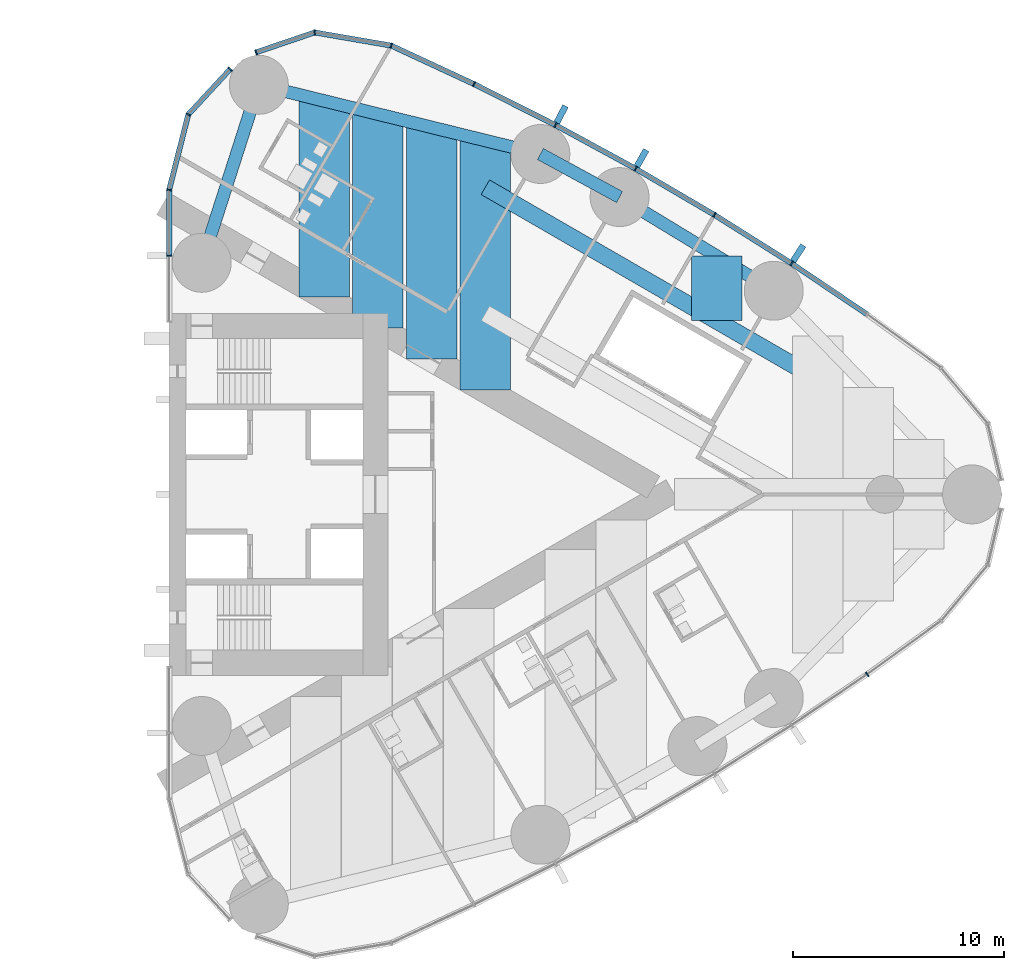
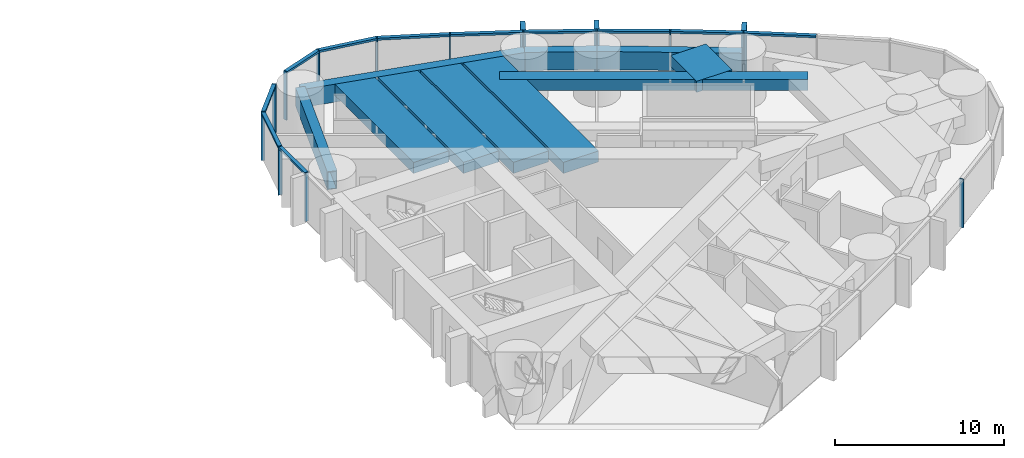
# One storey, part 8 of 19: 27 members, 10 beams, 3 elements without a shape of their own.
"""IFC4 building model written with IfcOpenShell, lengths in metres."""

from ifc_helpers import new_model, si_unit, direction, frame, origin, origin_2d, place, context, subcontext, project, spatial, rectangle, hollow_rectangle, extrude, material, material_profile, profile_set, type_object, element, aggregate, save


model = new_model("IFC4")

# Units and contexts
model_context = context("Model", 3, precision=1e-05, world=origin(), true_north=direction((0.0, 1.0)))
body_context = subcontext(model_context, "Body", "Model", "MODEL_VIEW")
ifc_project = project(units=[si_unit("LENGTHUNIT", "METRE"), si_unit("AREAUNIT", "SQUARE_METRE"), si_unit("VOLUMEUNIT", "CUBIC_METRE"), si_unit("PLANEANGLEUNIT", "RADIAN"), si_unit("MASSUNIT", "GRAM", prefix="KILO")], contexts=[model_context])

# Site, building, storey
site_placement = place(None, origin())
site = spatial("IfcSite", under=ifc_project, at=site_placement, CompositionType="ELEMENT")
building_placement = place(site_placement, origin())
building = spatial("IfcBuilding", under=site, at=building_placement, Name="Lancet Gate Hotel", CompositionType="ELEMENT")
storey_placement = place(building_placement, frame((0.0, 0.0, 198.300048828125)))
storey = spatial("IfcBuildingStorey", under=building, at=storey_placement, Name="L53", CompositionType="ELEMENT", Elevation=198.300048828125)

# Curtain wall, member
ifc_material_1 = material(Name="Aluminium curtain wall", Category="aluminium")
curtain_wall_type = type_object("IfcCurtainWallType", Name="Tower unitised curtain wall", PredefinedType="USERDEFINED", material=ifc_material_1)
curtain_wall_1_placement = place(storey_placement, origin())
curtain_wall_1 = element("IfcCurtainWall", 1, at=curtain_wall_1_placement, inside=storey, type_object=curtain_wall_type, Name="T2 L53 curtain wall 2", ObjectType="UNITISED CURTAIN WALL", PredefinedType="USERDEFINED")
ifc_material_2 = material(Name="Aluminium mullion", Category="aluminium")
ifc_material_profile_1 = material_profile(ifc_material_2, rectangle(XDim=0.06494140625, YDim=0.25, at=origin_2d()), Name="MULLION 65x250")
ifc_profile_set_1 = profile_set([ifc_material_profile_1], Name="Aluminium mullion")
member_type_1 = type_object("IfcMemberType", Name="Aluminium mullion 65x250", PredefinedType="MULLION", material=ifc_profile_set_1)
member_1_placement = place(storey_placement, frame((60.66015625, -8.547607421875, 0.0), z_axis=(0.0, 0.0, 1.0), x_axis=(0.820068208435, 0.572265789222, 0.0)))
member_1 = element("IfcMember", 2, at=member_1_placement, type_object=member_type_1, Name="T2 L53 curtain wall 2 mullion 9", PredefinedType="MULLION", context=body_context, shape_type="SweptSolid", body=[
    extrude(rectangle(XDim=0.06494140625, YDim=0.25, at=origin_2d()), origin(), (0.0, 0.0, 1.0), 3.5),
])
aggregate(curtain_wall_1, [member_1])

# Curtain wall, members
curtain_wall_2_placement = place(storey_placement, origin())
curtain_wall_2 = element("IfcCurtainWall", 3, at=curtain_wall_2_placement, inside=storey, type_object=curtain_wall_type, Name="T2 L53 curtain wall 3", ObjectType="UNITISED CURTAIN WALL", PredefinedType="USERDEFINED")
member_2_placement = place(storey_placement, frame((57.067138671875, 10.970947265625, 0.0), z_axis=(0.0, 0.0, 1.0), x_axis=(-0.837800943278, 0.545975804815, 0.0)))
member_2 = element("IfcMember", 4, at=member_2_placement, type_object=member_type_1, Name="T2 L53 curtain wall 3 mullion 5", PredefinedType="MULLION", context=body_context, shape_type="SweptSolid", body=[
    extrude(rectangle(XDim=0.06494140625, YDim=0.25, at=origin_2d()), origin(), (0.0, 0.0, 1.0), 3.5),
])
member_3_placement = place(storey_placement, frame((53.39892578125, 13.279541015625, 0.0), z_axis=(0.0, 0.0, 1.0), x_axis=(-0.854691174453, 0.519136779965, 0.0)))
member_3 = element("IfcMember", 5, at=member_3_placement, type_object=member_type_1, Name="T2 L53 curtain wall 3 mullion 6", PredefinedType="MULLION", context=body_context, shape_type="SweptSolid", body=[
    extrude(rectangle(XDim=0.06494140625, YDim=0.25, at=origin_2d()), origin(), (0.0, 0.0, 1.0), 3.5),
])
member_4_placement = place(storey_placement, frame((49.65966796875, 15.47021484375, 0.0), z_axis=(0.0, 0.0, 1.0), x_axis=(-0.870721916932, 0.491775704336, 0.0)))
member_4 = element("IfcMember", 6, at=member_4_placement, type_object=member_type_1, Name="T2 L53 curtain wall 3 mullion 7", PredefinedType="MULLION", context=body_context, shape_type="SweptSolid", body=[
    extrude(rectangle(XDim=0.06494140625, YDim=0.25, at=origin_2d()), origin(), (0.0, 0.0, 1.0), 3.5),
])
member_5_placement = place(storey_placement, frame((45.8525390625, 17.54150390625, 0.0), z_axis=(0.0, 0.0, 1.0), x_axis=(-0.885877049989, 0.463920092584, 0.0)))
member_5 = element("IfcMember", 7, at=member_5_placement, type_object=member_type_1, Name="T2 L53 curtain wall 3 mullion 8", PredefinedType="MULLION", context=body_context, shape_type="SweptSolid", body=[
    extrude(rectangle(XDim=0.06494140625, YDim=0.25, at=origin_2d()), origin(), (0.0, 0.0, 1.0), 3.5),
])
member_6_placement = place(storey_placement, frame((41.98193359375, 19.490966796875, 0.0), z_axis=(0.0, 0.0, 1.0), x_axis=(-0.900141333422, 0.435597956681, 0.0)))
member_6 = element("IfcMember", 8, at=member_6_placement, type_object=member_type_1, Name="T2 L53 curtain wall 3 mullion 9", PredefinedType="MULLION", context=body_context, shape_type="SweptSolid", body=[
    extrude(rectangle(XDim=0.06494140625, YDim=0.25, at=origin_2d()), origin(), (0.0, 0.0, 1.0), 3.5),
])
member_7_placement = place(storey_placement, frame((38.05126953125, 21.31689453125, 0.0), z_axis=(0.0, 0.0, 1.0), x_axis=(-0.951355493327, 0.308095318555, 0.0)))
member_7 = element("IfcMember", 9, at=member_7_placement, type_object=member_type_1, Name="T2 L53 curtain wall 3 mullion 10", PredefinedType="MULLION", context=body_context, shape_type="SweptSolid", body=[
    extrude(rectangle(XDim=0.06494140625, YDim=0.25, at=origin_2d()), origin(), (0.0, 0.0, 1.0), 3.5),
])
member_8_placement = place(storey_placement, frame((34.412109375, 21.9423828125, 0.0), z_axis=(0.0, 0.0, 1.0), x_axis=(-0.99877556888, -0.049470829879, 0.0)))
member_8 = element("IfcMember", 10, at=member_8_placement, type_object=member_type_1, Name="T2 L53 curtain wall 3 mullion 11", PredefinedType="MULLION", context=body_context, shape_type="SweptSolid", body=[
    extrude(rectangle(XDim=0.06494140625, YDim=0.25, at=origin_2d()), origin(), (0.0, 0.0, 1.0), 3.5),
])
member_9_placement = place(storey_placement, frame((31.631591796875, 20.998779296875, 0.0), z_axis=(0.0, 0.0, 1.0), x_axis=(-0.946952368511, -0.321373943827, 0.0)))
member_9 = element("IfcMember", 11, at=member_9_placement, type_object=member_type_1, Name="T2 L53 curtain wall 3 mullion 12", PredefinedType="MULLION", context=body_context, shape_type="SweptSolid", body=[
    extrude(rectangle(XDim=0.06494140625, YDim=0.25, at=origin_2d()), origin(), (0.0, 0.0, 1.0), 3.5),
])

curtain_wall_3_placement = place(storey_placement, origin())
curtain_wall_3 = element("IfcCurtainWall", 12, at=curtain_wall_3_placement, inside=storey, type_object=curtain_wall_type, Name="T2 L53 curtain wall 4", ObjectType="UNITISED CURTAIN WALL", PredefinedType="USERDEFINED")
member_10_placement = place(storey_placement, frame((30.40185546875, 20.199951171875, 0.0), z_axis=(0.0, 0.0, 1.0), x_axis=(-0.67883123083, -0.734294327943, 0.0)))
member_10 = element("IfcMember", 13, at=member_10_placement, type_object=member_type_1, Name="T2 L53 curtain wall 4 mullion 1", PredefinedType="MULLION", context=body_context, shape_type="SweptSolid", body=[
    extrude(rectangle(XDim=0.06494140625, YDim=0.25, at=origin_2d()), origin(), (0.0, 0.0, 1.0), 3.5),
])
member_11_placement = place(storey_placement, frame((28.408935546875, 18.04443359375, 0.0), z_axis=(0.0, 0.0, 1.0), x_axis=(-0.451505925065, -0.892268120932, 0.0)))
member_11 = element("IfcMember", 14, at=member_11_placement, type_object=member_type_1, Name="T2 L53 curtain wall 4 mullion 2", PredefinedType="MULLION", context=body_context, shape_type="SweptSolid", body=[
    extrude(rectangle(XDim=0.06494140625, YDim=0.25, at=origin_2d()), origin(), (0.0, 0.0, 1.0), 3.5),
])
member_12_placement = place(storey_placement, frame((27.5, 14.465576171875, 0.0), z_axis=(0.0, 0.0, 1.0), x_axis=(-0.134206524909, -0.990953383703, 0.0)))
member_12 = element("IfcMember", 15, at=member_12_placement, type_object=member_type_1, Name="T2 L53 curtain wall 4 mullion 3", PredefinedType="MULLION", context=body_context, shape_type="SweptSolid", body=[
    extrude(rectangle(XDim=0.06494140625, YDim=0.25, at=origin_2d()), origin(), (0.0, 0.0, 1.0), 3.5),
])
member_13_placement = place(storey_placement, frame((27.5, 11.332763671875, 0.0), z_axis=(0.0, 0.0, 1.0), x_axis=(0.0, -1.0, 0.0)))
member_13 = element("IfcMember", 16, at=member_13_placement, type_object=member_type_1, Name="T2 L53 curtain wall 4 mullion 4", PredefinedType="MULLION", context=body_context, shape_type="SweptSolid", body=[
    extrude(rectangle(XDim=0.06494140625, YDim=0.25, at=origin_2d()), origin(), (0.0, 0.0, 1.0), 3.5),
])

# Member
ifc_material_3 = material(Name="Aluminium transom", Category="aluminium")
ifc_material_profile_2 = material_profile(ifc_material_3, rectangle(XDim=0.25, YDim=0.14990234375, at=origin_2d()), Name="TRANSOM 250x150")
ifc_profile_set_2 = profile_set([ifc_material_profile_2], Name="Aluminium transom")
member_type_2 = type_object("IfcMemberType", Name="Aluminium transom 250x150", PredefinedType="USERDEFINED", material=ifc_profile_set_2)
member_14_placement = place(storey_placement, frame((60.63330078125, 8.565673828125, 3.425048828125), z_axis=(-0.829046850689, 0.559179147826, 0.0), x_axis=(-0.559179147826, -0.829046850689, 0.0)))
member_14 = element("IfcMember", 17, at=member_14_placement, type_object=member_type_2, Name="T2 L53 curtain wall 3 transom 4", ObjectType="TRANSOM", PredefinedType="USERDEFINED", context=body_context, shape_type="SweptSolid", body=[
    extrude(rectangle(XDim=0.25, YDim=0.14990234375, at=origin_2d()), origin(), (0.0, 0.0, 1.0), 4.26904296875),
])

member_15_placement = place(storey_placement, frame((57.03955078125, 10.98828125, 3.425048828125), z_axis=(-0.846333101657, 0.532653997488, 0.0), x_axis=(-0.532653997488, -0.846333101657, 0.0)))
member_15 = element("IfcMember", 18, at=member_15_placement, type_object=member_type_2, Name="T2 L53 curtain wall 3 transom 5", ObjectType="TRANSOM", PredefinedType="USERDEFINED", context=body_context, shape_type="SweptSolid", body=[
    extrude(rectangle(XDim=0.25, YDim=0.14990234375, at=origin_2d()), origin(), (0.0, 0.0, 1.0), 4.26904296875),
])

member_16_placement = place(storey_placement, frame((53.37109375, 13.2958984375, 3.425048828125), z_axis=(-0.862825279032, 0.505502262966, 0.0), x_axis=(-0.505502262966, -0.862825279032, 0.0)))
member_16 = element("IfcMember", 19, at=member_16_placement, type_object=member_type_2, Name="T2 L53 curtain wall 3 transom 6", ObjectType="TRANSOM", PredefinedType="USERDEFINED", context=body_context, shape_type="SweptSolid", body=[
    extrude(rectangle(XDim=0.25, YDim=0.14990234375, at=origin_2d()), origin(), (0.0, 0.0, 1.0), 4.26904296875),
])

member_17_placement = place(storey_placement, frame((49.631103515625, 15.48583984375, 3.425048828125), z_axis=(-0.878404302735, 0.477918278513, 0.0), x_axis=(-0.477918278513, -0.878404302735, 0.0)))
member_17 = element("IfcMember", 20, at=member_17_placement, type_object=member_type_2, Name="T2 L53 curtain wall 3 transom 7", ObjectType="TRANSOM", PredefinedType="USERDEFINED", context=body_context, shape_type="SweptSolid", body=[
    extrude(rectangle(XDim=0.25, YDim=0.14990234375, at=origin_2d()), origin(), (0.0, 0.0, 1.0), 4.26904296875),
])

member_18_placement = place(storey_placement, frame((45.82373046875, 17.55615234375, 3.425048828125), z_axis=(-0.893130969207, 0.449796700571, 0.0), x_axis=(-0.449796700571, -0.893130969207, 0.0)))
member_18 = element("IfcMember", 21, at=member_18_placement, type_object=member_type_2, Name="T2 L53 curtain wall 3 transom 8", ObjectType="TRANSOM", PredefinedType="USERDEFINED", context=body_context, shape_type="SweptSolid", body=[
    extrude(rectangle(XDim=0.25, YDim=0.14990234375, at=origin_2d()), origin(), (0.0, 0.0, 1.0), 4.26904296875),
])

member_19_placement = place(storey_placement, frame((41.952392578125, 19.504638671875, 3.425048828125), z_axis=(-0.906913768492, 0.421316290357, 0.0), x_axis=(-0.421316290357, -0.906913768492, 0.0)))
member_19 = element("IfcMember", 22, at=member_19_placement, type_object=member_type_2, Name="T2 L53 curtain wall 3 transom 9", ObjectType="TRANSOM", PredefinedType="USERDEFINED", context=body_context, shape_type="SweptSolid", body=[
    extrude(rectangle(XDim=0.25, YDim=0.14990234375, at=origin_2d()), origin(), (0.0, 0.0, 1.0), 4.26904296875),
])

member_20_placement = place(storey_placement, frame((38.019287109375, 21.322265625, 3.425048828125), z_axis=(-0.985536950873, 0.169460669373, 0.0), x_axis=(-0.169460669373, -0.985536950873, 0.0)))
member_20 = element("IfcMember", 23, at=member_20_placement, type_object=member_type_2, Name="T2 L53 curtain wall 3 transom 10", ObjectType="TRANSOM", PredefinedType="USERDEFINED", context=body_context, shape_type="SweptSolid", body=[
    extrude(rectangle(XDim=0.25, YDim=0.14990234375, at=origin_2d()), origin(), (0.0, 0.0, 1.0), 3.627685546875),
])

member_21_placement = place(storey_placement, frame((34.38134765625, 21.93212890625, 3.425048828125), z_axis=(-0.946943122832, -0.321401185625, 0.0), x_axis=(0.321401185625, -0.946943122832, 0.0)))
member_21 = element("IfcMember", 24, at=member_21_placement, type_object=member_type_2, Name="T2 L53 curtain wall 3 transom 11", ObjectType="TRANSOM", PredefinedType="USERDEFINED", context=body_context, shape_type="SweptSolid", body=[
    extrude(rectangle(XDim=0.25, YDim=0.14990234375, at=origin_2d()), origin(), (0.0, 0.0, 1.0), 2.871337890625),
])

member_22_placement = place(storey_placement, frame((30.379638671875, 20.17626953125, 3.425048828125), z_axis=(-0.678792146129, -0.734330458549, 0.0), x_axis=(0.734330458549, -0.678792146129, 0.0)))
member_22 = element("IfcMember", 25, at=member_22_placement, type_object=member_type_2, Name="T2 L53 curtain wall 4 transom 1", ObjectType="TRANSOM", PredefinedType="USERDEFINED", context=body_context, shape_type="SweptSolid", body=[
    extrude(rectangle(XDim=0.25, YDim=0.14990234375, at=origin_2d()), origin(), (0.0, 0.0, 1.0), 2.87060546875),
])

member_23_placement = place(storey_placement, frame((28.40087890625, 18.012939453125, 3.425048828125), z_axis=(-0.246128756616, -0.969237140831, 0.0), x_axis=(0.969237140831, -0.246128756616, 0.0)))
member_23 = element("IfcMember", 26, at=member_23_placement, type_object=member_type_2, Name="T2 L53 curtain wall 4 transom 2", ObjectType="TRANSOM", PredefinedType="USERDEFINED", context=body_context, shape_type="SweptSolid", body=[
    extrude(rectangle(XDim=0.25, YDim=0.14990234375, at=origin_2d()), origin(), (0.0, 0.0, 1.0), 3.62744140625),
])

member_24_placement = place(storey_placement, frame((27.5, 14.43310546875, 3.425048828125), z_axis=(0.0, -1.0, 0.0), x_axis=(1.0, 0.0, 0.0)))
member_24 = element("IfcMember", 27, at=member_24_placement, type_object=member_type_2, Name="T2 L53 curtain wall 4 transom 3", ObjectType="TRANSOM", PredefinedType="USERDEFINED", context=body_context, shape_type="SweptSolid", body=[
    extrude(rectangle(XDim=0.25, YDim=0.14990234375, at=origin_2d()), origin(), (0.0, 0.0, 1.0), 3.06787109375),
])

aggregate(curtain_wall_3, [member_10, member_11, member_12, member_13, member_22, member_23, member_24])

# Beams
ifc_material_4 = material(Name="Steel S460QL", Category="steel")
ifc_material_profile_3 = material_profile(ifc_material_4, hollow_rectangle(XDim=0.60009765625, YDim=1.300048828125, WallThickness=0.050048828125, at=origin_2d()), Name="BOX 1300x600x50")
ifc_profile_set_3 = profile_set([ifc_material_profile_3], Name="Steel S460QL")
beam_type_1 = type_object("IfcBeamType", Name="Edge beam BOX 1300x600x50", PredefinedType="SPANDREL", material=ifc_profile_set_3)
beam_1_placement = place(storey_placement, frame((56.220947265625, 9.67236328125, 2.599853515625), z_axis=(-0.854692251129, 0.519135007353, 0.0), x_axis=(-0.519135007353, -0.854692251129, 0.0)))
element("IfcBeam", 28, at=beam_1_placement, inside=storey, type_object=beam_type_1, Name="T2 edge beam EB2 L53", PredefinedType="SPANDREL", context=body_context, shape_type="SweptSolid", body=[
    extrude(hollow_rectangle(XDim=0.60009765625, YDim=1.300048828125, WallThickness=0.050048828125, at=origin_2d()), origin(), (0.0, 0.0, 1.0), 8.568603515625),
])
beam_2_placement = place(storey_placement, frame((48.8974609375, 14.12060546875, 2.599853515625), z_axis=(-0.878404597051, 0.477917737566, 0.0), x_axis=(-0.477917737566, -0.878404597051, 0.0)))
element("IfcBeam", 29, at=beam_2_placement, inside=storey, type_object=beam_type_1, Name="T2 edge beam EB2 L53", PredefinedType="SPANDREL", context=body_context, shape_type="SweptSolid", body=[
    extrude(hollow_rectangle(XDim=0.60009765625, YDim=1.300048828125, WallThickness=0.050048828125, at=origin_2d()), origin(), (0.0, 0.0, 1.0), 4.284912109375),
])
beam_3_placement = place(storey_placement, frame((45.133544921875, 16.16845703125, 2.599853515625), z_axis=(-0.971093253227, 0.238700426344, 0.0), x_axis=(-0.238700426344, -0.971093253227, 0.0)))
element("IfcBeam", 30, at=beam_3_placement, inside=storey, type_object=beam_type_1, Name="T2 edge beam EB2 L53", PredefinedType="SPANDREL", context=body_context, shape_type="SweptSolid", body=[
    extrude(hollow_rectangle(XDim=0.60009765625, YDim=1.300048828125, WallThickness=0.050048828125, at=origin_2d()), origin(), (0.0, 0.0, 1.0), 13.77197265625),
])
beam_4_placement = place(storey_placement, frame((29.050048828125, 11.0, 2.599853515625), z_axis=(0.305169772986, 0.952297962644, 0.0), x_axis=(-0.952297962644, 0.305169772986, 0.0)))
element("IfcBeam", 31, at=beam_4_placement, inside=storey, type_object=beam_type_1, Name="T2 edge beam EB2 L53", PredefinedType="SPANDREL", context=body_context, shape_type="SweptSolid", body=[
    extrude(hollow_rectangle(XDim=0.60009765625, YDim=1.300048828125, WallThickness=0.050048828125, at=origin_2d()), origin(), (0.0, 0.0, 1.0), 8.87939453125),
])

# Member
ifc_material_5 = material(Name="Precast concrete C50/60", Category="concrete")
ifc_material_profile_4 = material_profile(ifc_material_5, rectangle(XDim=0.300048828125, YDim=0.89990234375, at=origin_2d()), Name="FIN 300x900")
ifc_profile_set_4 = profile_set([ifc_material_profile_4], Name="Precast concrete C50/60")
member_type_3 = type_object("IfcMemberType", Name="Exposed concrete fin 300x900", PredefinedType="USERDEFINED", material=ifc_profile_set_4)
member_25_placement = place(storey_placement, frame((57.381103515625, 11.452880859375, 0.0), z_axis=(0.0, 0.0, 1.0), x_axis=(-0.837800943278, 0.545975804815, 0.0)))
member_25 = element("IfcMember", 32, at=member_25_placement, type_object=member_type_3, Name="T2 L53 curtain wall 3 fin 5", ObjectType="FIN", PredefinedType="USERDEFINED", context=body_context, shape_type="SweptSolid", body=[
    extrude(rectangle(XDim=0.300048828125, YDim=0.89990234375, at=origin_2d()), origin(), (0.0, 0.0, 1.0), 3.5),
])

member_26_placement = place(storey_placement, frame((49.9423828125, 15.970947265625, 0.0), z_axis=(0.0, 0.0, 1.0), x_axis=(-0.870721916932, 0.491775704336, 0.0)))
member_26 = element("IfcMember", 33, at=member_26_placement, type_object=member_type_3, Name="T2 L53 curtain wall 3 fin 7", ObjectType="FIN", PredefinedType="USERDEFINED", context=body_context, shape_type="SweptSolid", body=[
    extrude(rectangle(XDim=0.300048828125, YDim=0.89990234375, at=origin_2d()), origin(), (0.0, 0.0, 1.0), 3.5),
])

member_27_placement = place(storey_placement, frame((46.119384765625, 18.051025390625, 0.0), z_axis=(0.0, 0.0, 1.0), x_axis=(-0.885877049989, 0.463920092584, 0.0)))
member_27 = element("IfcMember", 34, at=member_27_placement, type_object=member_type_3, Name="T2 L53 curtain wall 3 fin 8", ObjectType="FIN", PredefinedType="USERDEFINED", context=body_context, shape_type="SweptSolid", body=[
    extrude(rectangle(XDim=0.300048828125, YDim=0.89990234375, at=origin_2d()), origin(), (0.0, 0.0, 1.0), 3.5),
])

aggregate(curtain_wall_2, [member_2, member_25, member_3, member_4, member_26, member_5, member_27, member_6, member_7, member_8, member_9, member_14, member_15, member_16, member_17, member_18, member_19, member_20, member_21])

# Beams
ifc_material_6 = material(Name="Concrete C50/60", Category="concrete")
ifc_material_profile_5 = material_profile(ifc_material_6, rectangle(XDim=2.39990234375, YDim=0.800048828125, at=origin_2d()), Name="RC 2400x800")
ifc_profile_set_5 = profile_set([ifc_material_profile_5], Name="Concrete C50/60")
beam_type_2 = type_object("IfcBeamType", Name="Floor beam RC 2400x800", PredefinedType="BEAM", material=ifc_profile_set_5)
beam_5_placement = place(storey_placement, frame((34.859619140625, 9.377685546875, 2.849853515625), z_axis=(0.0, 1.0, 0.0), x_axis=(-1.0, 0.0, 0.0)))
element("IfcBeam", 35, at=beam_5_placement, inside=storey, type_object=beam_type_2, Name="T2 floor beam F02N L53", PredefinedType="BEAM", context=body_context, shape_type="SweptSolid", body=[
    extrude(rectangle(XDim=2.39990234375, YDim=0.800048828125, at=origin_2d()), origin(), (0.0, 0.0, 1.0), 9.316162109375),
])
beam_6_placement = place(storey_placement, frame((37.412841796875, 7.903564453125, 2.849853515625), z_axis=(0.0, 1.0, 0.0), x_axis=(-1.0, 0.0, 0.0)))
element("IfcBeam", 36, at=beam_6_placement, inside=storey, type_object=beam_type_2, Name="T2 floor beam F04N L53", PredefinedType="BEAM", context=body_context, shape_type="SweptSolid", body=[
    extrude(rectangle(XDim=2.39990234375, YDim=0.800048828125, at=origin_2d()), origin(), (0.0, 0.0, 1.0), 10.16259765625),
])
beam_7_placement = place(storey_placement, frame((39.9658203125, 6.429443359375, 2.849853515625), z_axis=(0.0, 1.0, 0.0), x_axis=(-1.0, 0.0, 0.0)))
element("IfcBeam", 37, at=beam_7_placement, inside=storey, type_object=beam_type_2, Name="T2 floor beam F06N L53", PredefinedType="BEAM", context=body_context, shape_type="SweptSolid", body=[
    extrude(rectangle(XDim=2.39990234375, YDim=0.800048828125, at=origin_2d()), origin(), (0.0, 0.0, 1.0), 11.00927734375),
])
beam_8_placement = place(storey_placement, frame((42.51904296875, 4.95556640625, 2.849853515625), z_axis=(0.0, 1.0, 0.0), x_axis=(-1.0, 0.0, 0.0)))
element("IfcBeam", 38, at=beam_8_placement, inside=storey, type_object=beam_type_2, Name="T2 floor beam F08N L53", PredefinedType="BEAM", context=body_context, shape_type="SweptSolid", body=[
    extrude(rectangle(XDim=2.39990234375, YDim=0.800048828125, at=origin_2d()), origin(), (0.0, 0.0, 1.0), 11.85546875),
])
beam_9_placement = place(storey_placement, frame((53.502197265625, 8.247802734375, 2.849853515625), z_axis=(0.0, 1.0, 0.0), x_axis=(-1.0, 0.0, 0.0)))
element("IfcBeam", 39, at=beam_9_placement, inside=storey, type_object=beam_type_2, Name="T2 floor beam F11NB L53", PredefinedType="BEAM", context=body_context, shape_type="SweptSolid", body=[
    extrude(rectangle(XDim=2.39990234375, YDim=0.800048828125, at=origin_2d()), origin(), (0.0, 0.0, 1.0), 3.075927734375),
])
ifc_material_7 = material(Name="Steel S460QL", Category="steel")
ifc_material_profile_6 = material_profile(ifc_material_7, hollow_rectangle(XDim=0.800048828125, YDim=0.800048828125, WallThickness=0.080078125, at=origin_2d()), Name="BOX 800x800x80")
ifc_profile_set_6 = profile_set([ifc_material_profile_6], Name="Steel S460QL")
beam_type_3 = type_object("IfcBeamType", Name="Trimmer beam BOX 800x800x80", PredefinedType="BEAM", material=ifc_profile_set_6)
beam_10_placement = place(storey_placement, frame((42.51904296875, 14.58984375, 2.849853515625), z_axis=(0.865993732867, -0.500054851626, 0.0), x_axis=(0.500054851626, 0.865993732867, 0.0)))
element("IfcBeam", 40, at=beam_10_placement, inside=storey, type_object=beam_type_3, Name="T2 trimmer beam TR02N L53", PredefinedType="BEAM", context=body_context, shape_type="SweptSolid", body=[
    extrude(hollow_rectangle(XDim=0.800048828125, YDim=0.800048828125, WallThickness=0.080078125, at=origin_2d()), origin(), (0.0, 0.0, 1.0), 18.2255859375),
])

save(model, "model.ifc")
